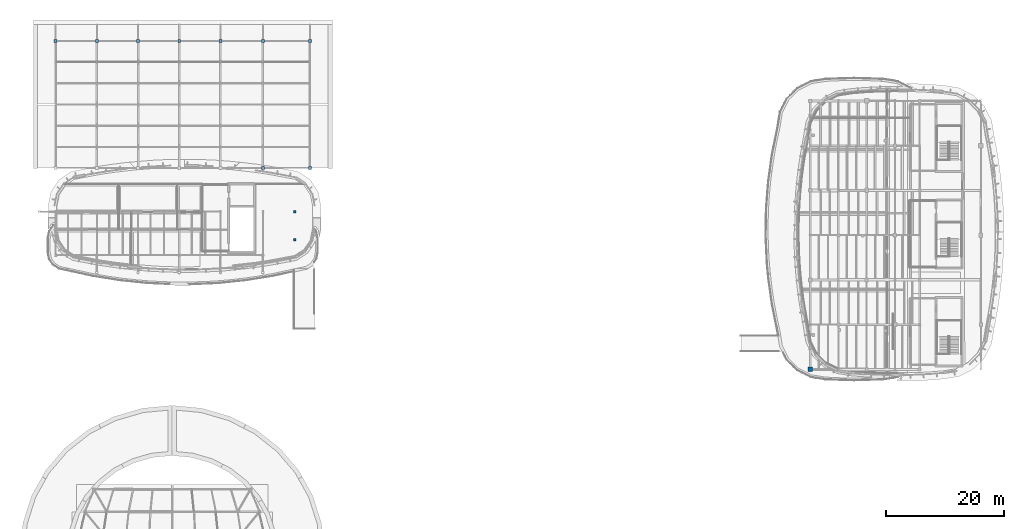
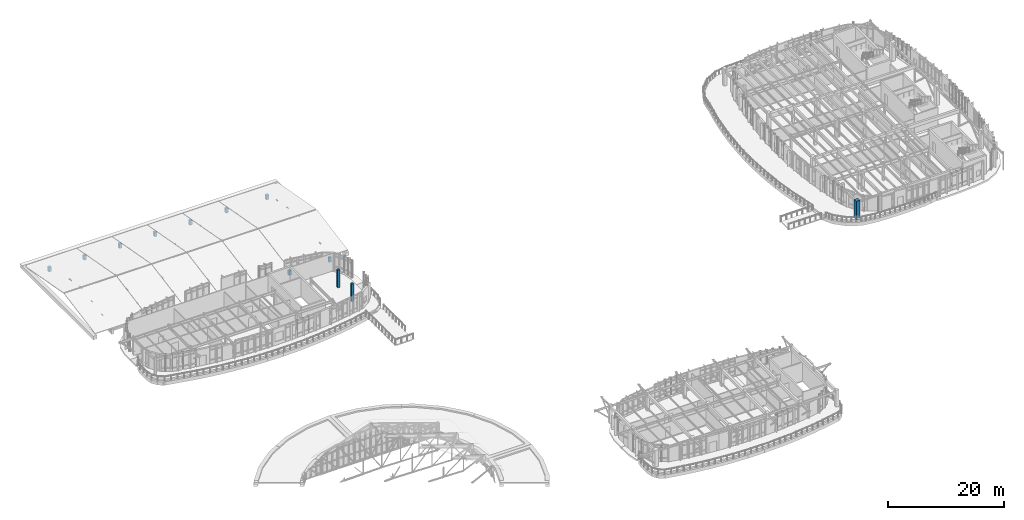
# One storey, part 3 of 105: 12 columns.
"""IFC4 building model written with IfcOpenShell, lengths in metres."""

from ifc_helpers import new_model, si_unit, direction, frame, origin, origin_2d, place, context, subcontext, project, spatial, rectangle, extrude, material, material_profile, profile_set, type_object, element, save


model = new_model("IFC4")

# Units and contexts
model_context = context("Model", 3, precision=1e-05, world=origin(), true_north=direction((0.0, 1.0)))
body_context = subcontext(model_context, "Body", "Model", "MODEL_VIEW")
ifc_project = project(units=[si_unit("LENGTHUNIT", "METRE"), si_unit("AREAUNIT", "SQUARE_METRE"), si_unit("VOLUMEUNIT", "CUBIC_METRE"), si_unit("PLANEANGLEUNIT", "RADIAN"), si_unit("MASSUNIT", "GRAM", prefix="KILO")], contexts=[model_context])

# Site, building, storey
site_placement = place(None, origin())
site = spatial("IfcSite", under=ifc_project, at=site_placement, CompositionType="ELEMENT")
building_placement = place(site_placement, origin())
building = spatial("IfcBuilding", under=site, at=building_placement, Name="Corveleigh Park Community Centre", CompositionType="ELEMENT")
storey_placement = place(building_placement, frame((0.0, 0.0, 8.699951171875)))
storey = spatial("IfcBuildingStorey", under=building, at=storey_placement, Name="L02", CompositionType="ELEMENT", Elevation=8.699951171875)

# Columns
ifc_material = material(Name="Concrete C40/50", Category="concrete")
ifc_material_profile_1 = material_profile(ifc_material, rectangle(XDim=0.425048828125, YDim=0.425048828125, at=origin_2d()), Name="RC-425x425", Category="concrete")
ifc_profile_set_1 = profile_set([ifc_material_profile_1], Name="Concrete C40/50")
column_type_1 = type_object("IfcColumnType", Name="COL-RC-425x425", PredefinedType="COLUMN", material=ifc_profile_set_1)
for number, where, z_axis, x_axis, name in (
    (1, (51.800048828125, 80.60009765625, 0.0), (0.0, 0.0, 1.0), (1.0, 0.0, 0.0), "Column V2-E4-1 L02"),
    (2, (51.800048828125, 85.39990234375, 0.0), (0.0, 0.0, 1.0), (1.0, 0.0, 0.0), "Column V2-E4-2 L02"),
):
    element("IfcColumn", number, at=place(storey_placement, frame(where, z_axis=z_axis, x_axis=x_axis)), inside=storey, type_object=column_type_1, Name=name, PredefinedType="COLUMN", context=body_context, shape_type="SweptSolid", body=[
        extrude(rectangle(XDim=0.425048828125, YDim=0.425048828125, at=origin_2d()), origin(), (0.0, 0.0, 1.0), 3.696044921875),
    ])
ifc_material_profile_2 = material_profile(ifc_material, rectangle(XDim=0.5, YDim=0.5, at=origin_2d()), Name="RC-500x500", Category="concrete")
ifc_profile_set_2 = profile_set([ifc_material_profile_2], Name="Concrete C40/50")
column_type_2 = type_object("IfcColumnType", Name="COL-RC-500x500", PredefinedType="COLUMN", material=ifc_profile_set_2)
for number, where, z_axis, x_axis, name in (
    (3, (11.199951171875, 114.39990234375, 0.0), (0.0, 0.0, 1.0), (1.0, 0.0, 0.0), "Column V2-HN1 L02"),
    (4, (18.199951171875, 114.39990234375, 0.0), (0.0, 0.0, 1.0), (1.0, 0.0, 0.0), "Column V2-HN2 L02"),
    (5, (25.199951171875, 114.39990234375, 0.0), (0.0, 0.0, 1.0), (1.0, 0.0, 0.0), "Column V2-HN3 L02"),
    (6, (32.199951171875, 114.39990234375, 0.0), (0.0, 0.0, 1.0), (1.0, 0.0, 0.0), "Column V2-HN4 L02"),
    (7, (39.199951171875, 114.39990234375, 0.0), (0.0, 0.0, 1.0), (1.0, 0.0, 0.0), "Column V2-HN5 L02"),
    (8, (46.39990234375, 92.800048828125, 0.0), (0.0, 0.0, 1.0), (1.0, 0.0, 0.0), "Column V2-HS6 L02"),
    (9, (46.39990234375, 114.39990234375, 0.0), (0.0, 0.0, 1.0), (1.0, 0.0, 0.0), "Column V2-HN6 L02"),
    (10, (54.39990234375, 92.800048828125, 0.0), (0.0, 0.0, 1.0), (1.0, 0.0, 0.0), "Column V2-HS7 L02"),
    (11, (54.39990234375, 114.39990234375, 0.0), (0.0, 0.0, 1.0), (1.0, 0.0, 0.0), "Column V2-HN7 L02"),
):
    element("IfcColumn", number, at=place(storey_placement, frame(where, z_axis=z_axis, x_axis=x_axis)), inside=storey, type_object=column_type_2, Name=name, PredefinedType="COLUMN", context=body_context, shape_type="SweptSolid", body=[
        extrude(rectangle(XDim=0.5, YDim=0.5, at=origin_2d()), origin(), (0.0, 0.0, 1.0), 0.949951171875),
    ])
ifc_material_profile_3 = material_profile(ifc_material, rectangle(XDim=0.75, YDim=0.75, at=origin_2d()), Name="RC-750x750", Category="concrete")
ifc_profile_set_3 = profile_set([ifc_material_profile_3], Name="Concrete C40/50")
column_type_3 = type_object("IfcColumnType", Name="COL-RC-750x750", PredefinedType="COLUMN", material=ifc_profile_set_3)
column_placement = place(storey_placement, frame((139.39990234375, 58.60009765625, 0.0), z_axis=(0.0, 0.0, 1.0), x_axis=(1.0, 0.0, 0.0)))
element("IfcColumn", 12, at=column_placement, inside=storey, type_object=column_type_3, Name="Column V4-X2Y0 L02", PredefinedType="COLUMN", context=body_context, shape_type="SweptSolid", body=[
    extrude(rectangle(XDim=0.75, YDim=0.75, at=origin_2d()), origin(), (0.0, 0.0, 1.0), 3.900146484375),
])

save(model, "model.ifc")
